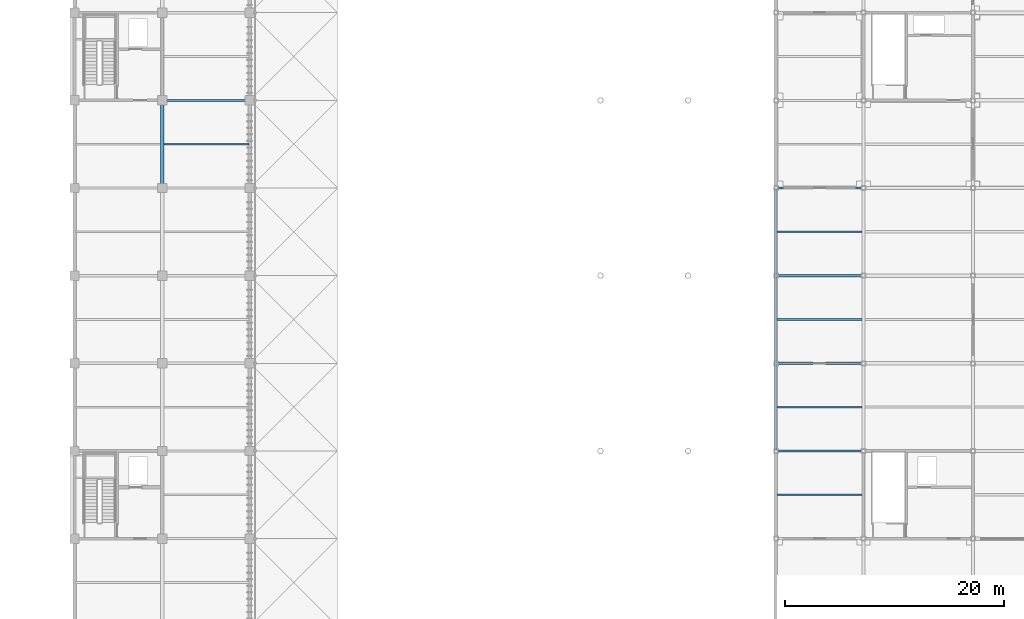
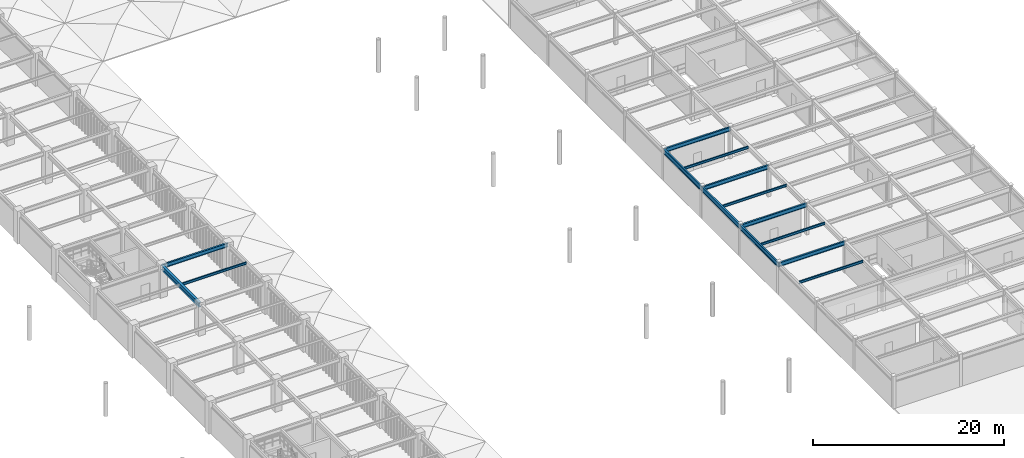
# One storey, part 33 of 78: 14 beams.
"""IFC4 building model written with IfcOpenShell, lengths in metres."""

from ifc_helpers import new_model, si_unit, direction, frame, origin, origin_2d, place, context, subcontext, project, spatial, i_section, extrude, material, material_profile, profile_set, type_object, element, save


model = new_model("IFC4")

# Units and contexts
model_context = context("Model", 3, precision=1e-05, world=origin(), true_north=direction((0.0, 1.0)))
body_context = subcontext(model_context, "Body", "Model", "MODEL_VIEW")
ifc_project = project(units=[si_unit("LENGTHUNIT", "METRE"), si_unit("AREAUNIT", "SQUARE_METRE"), si_unit("VOLUMEUNIT", "CUBIC_METRE"), si_unit("PLANEANGLEUNIT", "RADIAN"), si_unit("MASSUNIT", "GRAM", prefix="KILO")], contexts=[model_context])

# Site, building, storey
site_placement = place(None, origin())
site = spatial("IfcSite", under=ifc_project, at=site_placement, CompositionType="ELEMENT")
building_placement = place(site_placement, origin())
building = spatial("IfcBuilding", under=site, at=building_placement, Name="Haebicheon Civic Stadium", CompositionType="ELEMENT")
storey_placement = place(building_placement, frame((0.0, 0.0, 18.60009765625)))
storey = spatial("IfcBuildingStorey", under=building, at=storey_placement, Name="L05", CompositionType="ELEMENT", Elevation=18.60009765625)

# Beams
ifc_material_1 = material(Name="Steel SM355 (S355)", Category="steel")
ifc_material_profile_1 = material_profile(ifc_material_1, i_section(OverallWidth=0.199951171875, OverallDepth=0.5, WebThickness=0.010009765625, FlangeThickness=0.01611328125, at=origin_2d()), Name="H-500x200x10x16")
ifc_profile_set_1 = profile_set([ifc_material_profile_1], Name="Steel SM355 (S355)")
beam_type_1 = type_object("IfcBeamType", Name="BM-ST-H500", PredefinedType="BEAM", material=ifc_profile_set_1)
for number, where, z_axis, x_axis, name in (
    (1, (152.0, 104.0, 3.699951171875), (1.0, 0.0, 0.0), (0.0, 1.0, 0.0), "L05 beam P/20-21"),
    (2, (208.0, 72.0, 3.72998046875), (1.0, 0.0, 0.0), (0.0, 1.0, 0.0), "L05 beam K/27-28"),
    (3, (208.0, 80.0, 3.72998046875), (1.0, 0.0, 0.0), (0.0, 1.0, 0.0), "L05 beam L/27-28"),
    (4, (208.0, 88.0, 3.72998046875), (1.0, 0.0, 0.0), (0.0, 1.0, 0.0), "L05 beam M/27-28"),
    (5, (208.0, 96.0, 3.72998046875), (1.0, 0.0, 0.0), (0.0, 1.0, 0.0), "L05 beam N/27-28"),
):
    element("IfcBeam", number, at=place(storey_placement, frame(where, z_axis=z_axis, x_axis=x_axis)), inside=storey, type_object=beam_type_1, material=ifc_profile_set_1, Name=name, PredefinedType="BEAM", context=body_context, shape_type="SweptSolid", body=[
        extrude(i_section(OverallWidth=0.199951171875, OverallDepth=0.5, WebThickness=0.010009765625, FlangeThickness=0.01611328125, at=origin_2d()), origin(), (0.0, 0.0, 1.0), 8.0),
    ])
ifc_material_2 = material(Name="Steel SM355 (S355)", Category="steel")
ifc_material_profile_2 = material_profile(ifc_material_2, i_section(OverallWidth=0.300048828125, OverallDepth=0.60009765625, WebThickness=0.011962890625, FlangeThickness=0.02001953125, at=origin_2d()), Name="H-600x300x12x20")
ifc_profile_set_2 = profile_set([ifc_material_profile_2], Name="Steel SM355 (S355)")
beam_type_2 = type_object("IfcBeamType", Name="BM-ST-H600A", PredefinedType="BEAM", material=ifc_profile_set_2)
beam_placement = place(storey_placement, frame((152.0, 96.0, 3.64990234375), z_axis=(0.0, 1.0, 0.0), x_axis=(-1.0, 0.0, 0.0)))
element("IfcBeam", 6, at=beam_placement, inside=storey, type_object=beam_type_2, material=ifc_profile_set_2, Name="L05 girder 20/N-P", PredefinedType="BEAM", context=body_context, shape_type="SweptSolid", body=[
    extrude(i_section(OverallWidth=0.300048828125, OverallDepth=0.60009765625, WebThickness=0.011962890625, FlangeThickness=0.02001953125, at=origin_2d()), origin(), (0.0, 0.0, 1.0), 8.0),
])
ifc_material_3 = material(Name="Steel SM355 (S355)", Category="steel")
ifc_material_profile_3 = material_profile(ifc_material_3, i_section(OverallWidth=0.14990234375, OverallDepth=0.300048828125, WebThickness=0.006591796875, FlangeThickness=0.009033203125, at=origin_2d()), Name="H-300x150x6.5x9")
ifc_profile_set_3 = profile_set([ifc_material_profile_3], Name="Steel SM355 (S355)")
beam_type_3 = type_object("IfcBeamType", Name="JST-ST-H300", PredefinedType="JOIST", material=ifc_profile_set_3)
for number, where, z_axis, x_axis, name in (
    (7, (152.14990234375, 100.0, 3.7998046875), (1.0, 0.0, 0.0), (0.0, 1.0, 0.0), "L05 secondary joist 19-12"),
    (8, (208.10009765625, 68.0, 3.829833984375), (1.0, 0.0, 0.0), (0.0, 1.0, 0.0), "L05 secondary joist 26-08"),
    (9, (208.10009765625, 76.0, 3.829833984375), (1.0, 0.0, 0.0), (0.0, 1.0, 0.0), "L05 secondary joist 26-09"),
    (10, (208.10009765625, 84.0, 3.829833984375), (1.0, 0.0, 0.0), (0.0, 1.0, 0.0), "L05 secondary joist 26-10"),
    (11, (208.10009765625, 92.0, 3.829833984375), (1.0, 0.0, 0.0), (0.0, 1.0, 0.0), "L05 secondary joist 26-11"),
):
    element("IfcBeam", number, at=place(storey_placement, frame(where, z_axis=z_axis, x_axis=x_axis)), inside=storey, type_object=beam_type_3, material=ifc_profile_set_3, Name=name, PredefinedType="JOIST", context=body_context, shape_type="SweptSolid", body=[
        extrude(i_section(OverallWidth=0.14990234375, OverallDepth=0.300048828125, WebThickness=0.006591796875, FlangeThickness=0.009033203125, at=origin_2d()), origin(), (0.0, 0.0, 1.0), 7.75),
    ])
ifc_material_4 = material(Name="Steel SM355 (S355)", Category="steel")
ifc_material_profile_4 = material_profile(ifc_material_4, i_section(OverallWidth=0.199951171875, OverallDepth=0.60009765625, WebThickness=0.010986328125, FlangeThickness=0.01708984375, at=origin_2d()), Name="H-600x200x11x17")
ifc_profile_set_4 = profile_set([ifc_material_profile_4], Name="Steel SM355 (S355)")
beam_type_4 = type_object("IfcBeamType", Name="SPD-ST-H600B", PredefinedType="SPANDREL", material=ifc_profile_set_4)
for number, where, z_axis, x_axis, name in (
    (12, (208.0, 72.0, 3.679931640625), (0.0, 1.0, 0.0), (-1.0, 0.0, 0.0), "L05 girder 27/K-L"),
    (13, (208.0, 80.0, 3.679931640625), (0.0, 1.0, 0.0), (-1.0, 0.0, 0.0), "L05 girder 27/L-M"),
    (14, (208.0, 88.0, 3.679931640625), (0.0, 1.0, 0.0), (-1.0, 0.0, 0.0), "L05 girder 27/M-N"),
):
    element("IfcBeam", number, at=place(storey_placement, frame(where, z_axis=z_axis, x_axis=x_axis)), inside=storey, type_object=beam_type_4, material=ifc_profile_set_4, Name=name, PredefinedType="SPANDREL", context=body_context, shape_type="SweptSolid", body=[
        extrude(i_section(OverallWidth=0.199951171875, OverallDepth=0.60009765625, WebThickness=0.010986328125, FlangeThickness=0.01708984375, at=origin_2d()), origin(), (0.0, 0.0, 1.0), 8.0),
    ])

save(model, "model.ifc")
